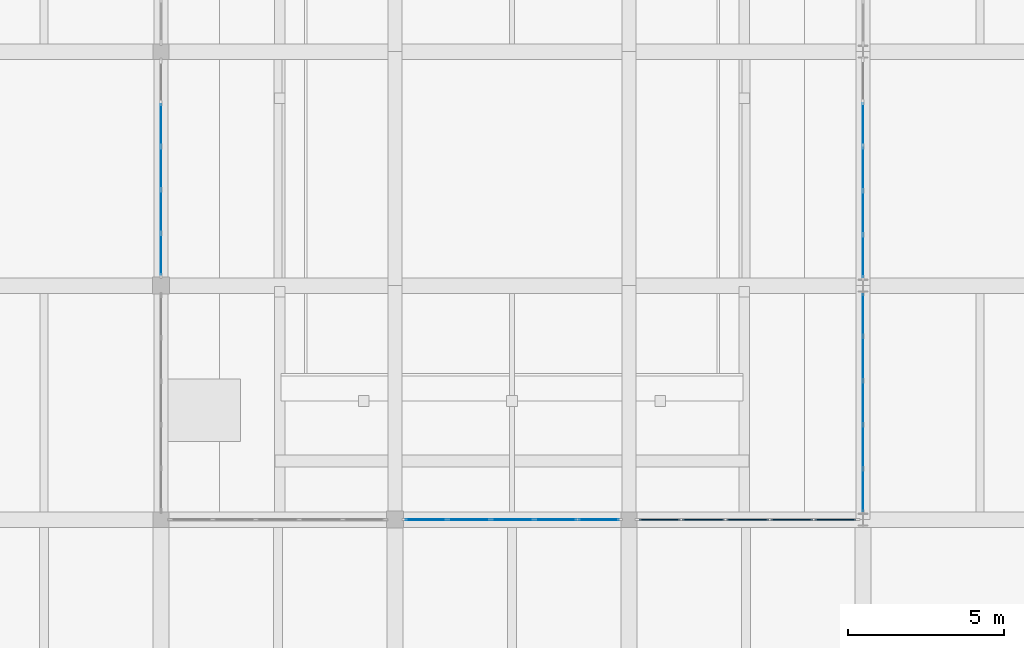
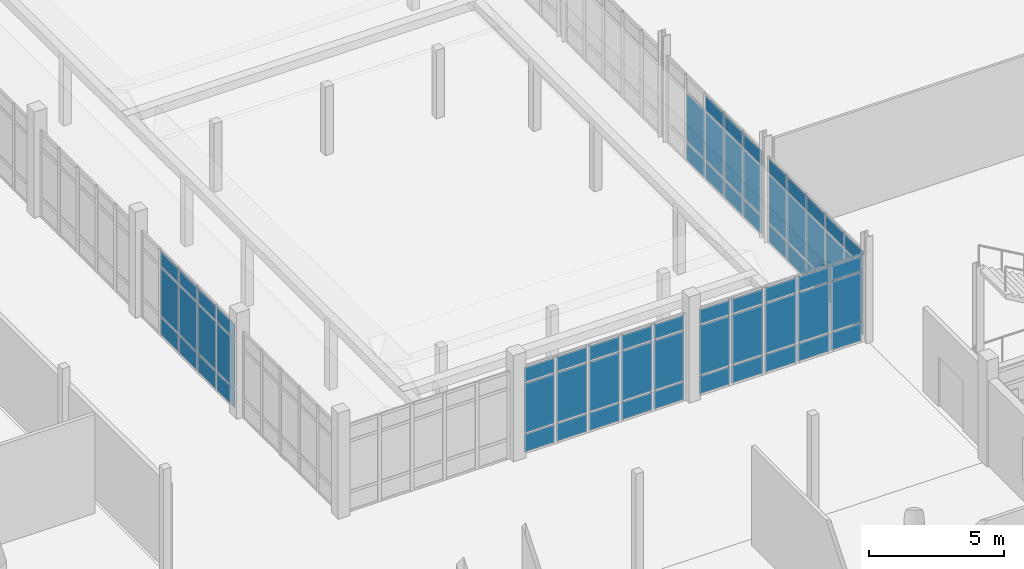
# One storey, part 72 of 125: 68 plates, 5 elements without a shape of their own.
"""IFC4 building model written with IfcOpenShell, lengths in metres."""

from ifc_helpers import new_model, si_unit, direction, frame, origin, origin_2d, place, context, subcontext, project, spatial, rectangle, extrude, material, layer, layer_set, type_object, element, aggregate, save


model = new_model("IFC4")

# Units and contexts
model_context = context("Model", 3, precision=1e-05, world=origin(), true_north=direction((0.0, 1.0)))
body_context = subcontext(model_context, "Body", "Model", "MODEL_VIEW")
ifc_project = project(units=[si_unit("LENGTHUNIT", "METRE"), si_unit("AREAUNIT", "SQUARE_METRE"), si_unit("VOLUMEUNIT", "CUBIC_METRE"), si_unit("PLANEANGLEUNIT", "RADIAN"), si_unit("MASSUNIT", "GRAM", prefix="KILO")], contexts=[model_context])

# Site, building, storey
site_placement = place(None, origin())
site = spatial("IfcSite", under=ifc_project, at=site_placement, CompositionType="ELEMENT")
building_placement = place(site_placement, origin())
building = spatial("IfcBuilding", under=site, at=building_placement, Name="Dalvernix Boulevard General Hospital", CompositionType="ELEMENT")
storey_placement = place(building_placement, origin())
storey = spatial("IfcBuildingStorey", under=building, at=storey_placement, Name="L00", CompositionType="ELEMENT", Elevation=0.0)

# Curtain wall, plates
ifc_material_1 = material(Name="Thermally broken aluminium and solar-control glass curtain wall", Category="aluminium")
ifc_layer_1 = layer(ifc_material_1, 0.159912109375)
ifc_layer_set_1 = layer_set([ifc_layer_1], Name="Thermally broken aluminium and solar-control glass curtain wall (CW-CW-A-71x39)")
curtain_wall_type_1 = type_object("IfcCurtainWallType", Name="CW-CW-A-71x39", PredefinedType="USERDEFINED", material=ifc_layer_set_1)
curtain_wall_1_placement = place(storey_placement, origin())
curtain_wall_1 = element("IfcCurtainWall", 1, at=curtain_wall_1_placement, inside=storey, type_object=curtain_wall_type_1, Name="L00 curtain wall CW-A-71x39 8-4", ObjectType="GLAZED FACADE", PredefinedType="USERDEFINED")
ifc_material_2 = material(Name="Double-glazed solar-control low-emissivity glass", Category="glass")
ifc_layer_2 = layer(ifc_material_2, 0.02392578125)
ifc_layer_set_2 = layer_set([ifc_layer_2], Name="Double-glazed solar-control low-emissivity glass (PLT-CW-P1)")
plate_type_1 = type_object("IfcPlateType", Name="PLT-CW-P1", PredefinedType="CURTAIN_PANEL", material=ifc_layer_set_2)
plate_1_placement = place(storey_placement, frame((60.0, 32.43310546875, 0.06005859375), z_axis=(0.0, 0.0, 1.0), x_axis=(0.0, 1.0, 0.0)))
plate_1 = element("IfcPlate", 2, at=plate_1_placement, type_object=plate_type_1, Name="CW-A-71x39 panel 1.1", PredefinedType="CURTAIN_PANEL", context=body_context, shape_type="SweptSolid", body=[
    extrude(rectangle(XDim=1.325927734375, YDim=0.02392578125, at=origin_2d()), origin(), (0.0, 0.0, 1.0), 0.81005859375),
])
plate_2_placement = place(storey_placement, frame((60.0, 32.43310546875, 0.929931640625), z_axis=(0.0, 0.0, 1.0), x_axis=(0.0, 1.0, 0.0)))
plate_2 = element("IfcPlate", 3, at=plate_2_placement, type_object=plate_type_1, Name="CW-A-71x39 panel 1.2", PredefinedType="CURTAIN_PANEL", context=body_context, shape_type="SweptSolid", body=[
    extrude(rectangle(XDim=1.325927734375, YDim=0.02392578125, at=origin_2d()), origin(), (0.0, 0.0, 1.0), 2.18994140625),
])
plate_3_placement = place(storey_placement, frame((60.0, 32.43310546875, 3.18017578125), z_axis=(0.0, 0.0, 1.0), x_axis=(0.0, 1.0, 0.0)))
plate_3 = element("IfcPlate", 4, at=plate_3_placement, type_object=plate_type_1, Name="CW-A-71x39 panel 1.3", PredefinedType="CURTAIN_PANEL", context=body_context, shape_type="SweptSolid", body=[
    extrude(rectangle(XDim=1.325927734375, YDim=0.02392578125, at=origin_2d()), origin(), (0.0, 0.0, 1.0), 0.659912109375),
])
plate_4_placement = place(storey_placement, frame((60.0, 33.833984375, 0.06005859375), z_axis=(0.0, 0.0, 1.0), x_axis=(0.0, 1.0, 0.0)))
plate_4 = element("IfcPlate", 5, at=plate_4_placement, type_object=plate_type_1, Name="CW-A-71x39 panel 2.1", PredefinedType="CURTAIN_PANEL", context=body_context, shape_type="SweptSolid", body=[
    extrude(rectangle(XDim=1.35595703125, YDim=0.02392578125, at=origin_2d()), origin(), (0.0, 0.0, 1.0), 0.81005859375),
])
plate_5_placement = place(storey_placement, frame((60.0, 33.833984375, 0.929931640625), z_axis=(0.0, 0.0, 1.0), x_axis=(0.0, 1.0, 0.0)))
plate_5 = element("IfcPlate", 6, at=plate_5_placement, type_object=plate_type_1, Name="CW-A-71x39 panel 2.2", PredefinedType="CURTAIN_PANEL", context=body_context, shape_type="SweptSolid", body=[
    extrude(rectangle(XDim=1.35595703125, YDim=0.02392578125, at=origin_2d()), origin(), (0.0, 0.0, 1.0), 2.18994140625),
])
plate_6_placement = place(storey_placement, frame((60.0, 33.833984375, 3.18017578125), z_axis=(0.0, 0.0, 1.0), x_axis=(0.0, 1.0, 0.0)))
plate_6 = element("IfcPlate", 7, at=plate_6_placement, type_object=plate_type_1, Name="CW-A-71x39 panel 2.3", PredefinedType="CURTAIN_PANEL", context=body_context, shape_type="SweptSolid", body=[
    extrude(rectangle(XDim=1.35595703125, YDim=0.02392578125, at=origin_2d()), origin(), (0.0, 0.0, 1.0), 0.659912109375),
])
plate_7_placement = place(storey_placement, frame((60.0, 35.25, 0.06005859375), z_axis=(0.0, 0.0, 1.0), x_axis=(0.0, 1.0, 0.0)))
plate_7 = element("IfcPlate", 8, at=plate_7_placement, type_object=plate_type_1, Name="CW-A-71x39 panel 3.1", PredefinedType="CURTAIN_PANEL", context=body_context, shape_type="SweptSolid", body=[
    extrude(rectangle(XDim=1.35595703125, YDim=0.02392578125, at=origin_2d()), origin(), (0.0, 0.0, 1.0), 0.81005859375),
])
plate_8_placement = place(storey_placement, frame((60.0, 35.25, 0.929931640625), z_axis=(0.0, 0.0, 1.0), x_axis=(0.0, 1.0, 0.0)))
plate_8 = element("IfcPlate", 9, at=plate_8_placement, type_object=plate_type_1, Name="CW-A-71x39 panel 3.2", PredefinedType="CURTAIN_PANEL", context=body_context, shape_type="SweptSolid", body=[
    extrude(rectangle(XDim=1.35595703125, YDim=0.02392578125, at=origin_2d()), origin(), (0.0, 0.0, 1.0), 2.18994140625),
])
plate_9_placement = place(storey_placement, frame((60.0, 35.25, 3.18017578125), z_axis=(0.0, 0.0, 1.0), x_axis=(0.0, 1.0, 0.0)))
plate_9 = element("IfcPlate", 10, at=plate_9_placement, type_object=plate_type_1, Name="CW-A-71x39 panel 3.3", PredefinedType="CURTAIN_PANEL", context=body_context, shape_type="SweptSolid", body=[
    extrude(rectangle(XDim=1.35595703125, YDim=0.02392578125, at=origin_2d()), origin(), (0.0, 0.0, 1.0), 0.659912109375),
])
plate_10_placement = place(storey_placement, frame((60.0, 36.666015625, 0.06005859375), z_axis=(0.0, 0.0, 1.0), x_axis=(0.0, 1.0, 0.0)))
plate_10 = element("IfcPlate", 11, at=plate_10_placement, type_object=plate_type_1, Name="CW-A-71x39 panel 4.1", PredefinedType="CURTAIN_PANEL", context=body_context, shape_type="SweptSolid", body=[
    extrude(rectangle(XDim=1.35595703125, YDim=0.02392578125, at=origin_2d()), origin(), (0.0, 0.0, 1.0), 0.81005859375),
])
plate_11_placement = place(storey_placement, frame((60.0, 36.666015625, 0.929931640625), z_axis=(0.0, 0.0, 1.0), x_axis=(0.0, 1.0, 0.0)))
plate_11 = element("IfcPlate", 12, at=plate_11_placement, type_object=plate_type_1, Name="CW-A-71x39 panel 4.2", PredefinedType="CURTAIN_PANEL", context=body_context, shape_type="SweptSolid", body=[
    extrude(rectangle(XDim=1.35595703125, YDim=0.02392578125, at=origin_2d()), origin(), (0.0, 0.0, 1.0), 2.18994140625),
])
plate_12_placement = place(storey_placement, frame((60.0, 36.666015625, 3.18017578125), z_axis=(0.0, 0.0, 1.0), x_axis=(0.0, 1.0, 0.0)))
plate_12 = element("IfcPlate", 13, at=plate_12_placement, type_object=plate_type_1, Name="CW-A-71x39 panel 4.3", PredefinedType="CURTAIN_PANEL", context=body_context, shape_type="SweptSolid", body=[
    extrude(rectangle(XDim=1.35595703125, YDim=0.02392578125, at=origin_2d()), origin(), (0.0, 0.0, 1.0), 0.659912109375),
])
plate_13_placement = place(storey_placement, frame((60.0, 38.06689453125, 0.06005859375), z_axis=(0.0, 0.0, 1.0), x_axis=(0.0, 1.0, 0.0)))
plate_13 = element("IfcPlate", 14, at=plate_13_placement, type_object=plate_type_1, Name="CW-A-71x39 panel 5.1", PredefinedType="CURTAIN_PANEL", context=body_context, shape_type="SweptSolid", body=[
    extrude(rectangle(XDim=1.325927734375, YDim=0.02392578125, at=origin_2d()), origin(), (0.0, 0.0, 1.0), 0.81005859375),
])
plate_14_placement = place(storey_placement, frame((60.0, 38.06689453125, 0.929931640625), z_axis=(0.0, 0.0, 1.0), x_axis=(0.0, 1.0, 0.0)))
plate_14 = element("IfcPlate", 15, at=plate_14_placement, type_object=plate_type_1, Name="CW-A-71x39 panel 5.2", PredefinedType="CURTAIN_PANEL", context=body_context, shape_type="SweptSolid", body=[
    extrude(rectangle(XDim=1.325927734375, YDim=0.02392578125, at=origin_2d()), origin(), (0.0, 0.0, 1.0), 2.18994140625),
])
plate_15_placement = place(storey_placement, frame((60.0, 38.06689453125, 3.18017578125), z_axis=(0.0, 0.0, 1.0), x_axis=(0.0, 1.0, 0.0)))
plate_15 = element("IfcPlate", 16, at=plate_15_placement, type_object=plate_type_1, Name="CW-A-71x39 panel 5.3", PredefinedType="CURTAIN_PANEL", context=body_context, shape_type="SweptSolid", body=[
    extrude(rectangle(XDim=1.325927734375, YDim=0.02392578125, at=origin_2d()), origin(), (0.0, 0.0, 1.0), 0.659912109375),
])
aggregate(curtain_wall_1, [plate_1, plate_2, plate_3, plate_4, plate_5, plate_6, plate_7, plate_8, plate_9, plate_10, plate_11, plate_12, plate_13, plate_14, plate_15])

ifc_layer_3 = layer(ifc_material_1, 0.179931640625)
ifc_layer_set_3 = layer_set([ifc_layer_3], Name="Thermally broken aluminium and solar-control glass curtain wall (CW-CW-B-70x39)")
curtain_wall_type_2 = type_object("IfcCurtainWallType", Name="CW-CW-B-70x39", PredefinedType="USERDEFINED", material=ifc_layer_set_3)
curtain_wall_2_placement = place(storey_placement, origin())
curtain_wall_2 = element("IfcCurtainWall", 17, at=curtain_wall_2_placement, inside=storey, type_object=curtain_wall_type_2, Name="L00 curtain wall CW-B-70x39 5-5", ObjectType="GLAZED FACADE", PredefinedType="USERDEFINED")
ifc_layer_4 = layer(ifc_material_2, 0.028076171875)
ifc_layer_set_4 = layer_set([ifc_layer_4], Name="Double-glazed solar-control low-emissivity glass (PLT-CW-P2)")
plate_type_2 = type_object("IfcPlateType", Name="PLT-CW-P2", PredefinedType="CURTAIN_PANEL", material=ifc_layer_set_4)
plate_16_placement = place(storey_placement, frame((37.5, 44.153564453125, 0.06494140625), z_axis=(0.0, 0.0, 1.0), x_axis=(0.0, -1.0, 0.0)))
plate_16 = element("IfcPlate", 18, at=plate_16_placement, type_object=plate_type_2, Name="CW-B-70x39 panel 2.1", PredefinedType="CURTAIN_PANEL", context=body_context, shape_type="SweptSolid", body=[
    extrude(rectangle(XDim=1.325927734375, YDim=0.028076171875, at=origin_2d()), origin(), (0.0, 0.0, 1.0), 0.802490234375),
])
plate_17_placement = place(storey_placement, frame((37.5, 44.153564453125, 0.932373046875), z_axis=(0.0, 0.0, 1.0), x_axis=(0.0, -1.0, 0.0)))
plate_17 = element("IfcPlate", 19, at=plate_17_placement, type_object=plate_type_2, Name="CW-B-70x39 panel 2.2", PredefinedType="CURTAIN_PANEL", context=body_context, shape_type="SweptSolid", body=[
    extrude(rectangle(XDim=1.325927734375, YDim=0.028076171875, at=origin_2d()), origin(), (0.0, 0.0, 1.0), 2.18505859375),
])
plate_18_placement = place(storey_placement, frame((37.5, 44.153564453125, 3.1826171875), z_axis=(0.0, 0.0, 1.0), x_axis=(0.0, -1.0, 0.0)))
plate_18 = element("IfcPlate", 20, at=plate_18_placement, type_object=plate_type_2, Name="CW-B-70x39 panel 2.3", PredefinedType="CURTAIN_PANEL", context=body_context, shape_type="SweptSolid", body=[
    extrude(rectangle(XDim=1.325927734375, YDim=0.028076171875, at=origin_2d()), origin(), (0.0, 0.0, 1.0), 0.652587890625),
])
plate_19_placement = place(storey_placement, frame((37.5, 42.762451171875, 0.06494140625), z_axis=(0.0, 0.0, 1.0), x_axis=(0.0, -1.0, 0.0)))
plate_19 = element("IfcPlate", 21, at=plate_19_placement, type_object=plate_type_2, Name="CW-B-70x39 panel 3.1", PredefinedType="CURTAIN_PANEL", context=body_context, shape_type="SweptSolid", body=[
    extrude(rectangle(XDim=1.325927734375, YDim=0.028076171875, at=origin_2d()), origin(), (0.0, 0.0, 1.0), 0.802490234375),
])
plate_20_placement = place(storey_placement, frame((37.5, 42.762451171875, 0.932373046875), z_axis=(0.0, 0.0, 1.0), x_axis=(0.0, -1.0, 0.0)))
plate_20 = element("IfcPlate", 22, at=plate_20_placement, type_object=plate_type_2, Name="CW-B-70x39 panel 3.2", PredefinedType="CURTAIN_PANEL", context=body_context, shape_type="SweptSolid", body=[
    extrude(rectangle(XDim=1.325927734375, YDim=0.028076171875, at=origin_2d()), origin(), (0.0, 0.0, 1.0), 2.18505859375),
])
plate_21_placement = place(storey_placement, frame((37.5, 42.762451171875, 3.1826171875), z_axis=(0.0, 0.0, 1.0), x_axis=(0.0, -1.0, 0.0)))
plate_21 = element("IfcPlate", 23, at=plate_21_placement, type_object=plate_type_2, Name="CW-B-70x39 panel 3.3", PredefinedType="CURTAIN_PANEL", context=body_context, shape_type="SweptSolid", body=[
    extrude(rectangle(XDim=1.325927734375, YDim=0.028076171875, at=origin_2d()), origin(), (0.0, 0.0, 1.0), 0.652587890625),
])
plate_22_placement = place(storey_placement, frame((37.5, 41.37158203125, 0.06494140625), z_axis=(0.0, 0.0, 1.0), x_axis=(0.0, -1.0, 0.0)))
plate_22 = element("IfcPlate", 24, at=plate_22_placement, type_object=plate_type_2, Name="CW-B-70x39 panel 4.1", PredefinedType="CURTAIN_PANEL", context=body_context, shape_type="SweptSolid", body=[
    extrude(rectangle(XDim=1.325927734375, YDim=0.028076171875, at=origin_2d()), origin(), (0.0, 0.0, 1.0), 0.802490234375),
])
plate_23_placement = place(storey_placement, frame((37.5, 41.37158203125, 0.932373046875), z_axis=(0.0, 0.0, 1.0), x_axis=(0.0, -1.0, 0.0)))
plate_23 = element("IfcPlate", 25, at=plate_23_placement, type_object=plate_type_2, Name="CW-B-70x39 panel 4.2", PredefinedType="CURTAIN_PANEL", context=body_context, shape_type="SweptSolid", body=[
    extrude(rectangle(XDim=1.325927734375, YDim=0.028076171875, at=origin_2d()), origin(), (0.0, 0.0, 1.0), 2.18505859375),
])
plate_24_placement = place(storey_placement, frame((37.5, 41.37158203125, 3.1826171875), z_axis=(0.0, 0.0, 1.0), x_axis=(0.0, -1.0, 0.0)))
plate_24 = element("IfcPlate", 26, at=plate_24_placement, type_object=plate_type_2, Name="CW-B-70x39 panel 4.3", PredefinedType="CURTAIN_PANEL", context=body_context, shape_type="SweptSolid", body=[
    extrude(rectangle(XDim=1.325927734375, YDim=0.028076171875, at=origin_2d()), origin(), (0.0, 0.0, 1.0), 0.652587890625),
])
plate_25_placement = place(storey_placement, frame((37.5, 39.996826171875, 0.06494140625), z_axis=(0.0, 0.0, 1.0), x_axis=(0.0, -1.0, 0.0)))
plate_25 = element("IfcPlate", 27, at=plate_25_placement, type_object=plate_type_2, Name="CW-B-70x39 panel 5.1", PredefinedType="CURTAIN_PANEL", context=body_context, shape_type="SweptSolid", body=[
    extrude(rectangle(XDim=1.29345703125, YDim=0.028076171875, at=origin_2d()), origin(), (0.0, 0.0, 1.0), 0.802490234375),
])
plate_26_placement = place(storey_placement, frame((37.5, 39.996826171875, 0.932373046875), z_axis=(0.0, 0.0, 1.0), x_axis=(0.0, -1.0, 0.0)))
plate_26 = element("IfcPlate", 28, at=plate_26_placement, type_object=plate_type_2, Name="CW-B-70x39 panel 5.2", PredefinedType="CURTAIN_PANEL", context=body_context, shape_type="SweptSolid", body=[
    extrude(rectangle(XDim=1.29345703125, YDim=0.028076171875, at=origin_2d()), origin(), (0.0, 0.0, 1.0), 2.18505859375),
])
plate_27_placement = place(storey_placement, frame((37.5, 39.996826171875, 3.1826171875), z_axis=(0.0, 0.0, 1.0), x_axis=(0.0, -1.0, 0.0)))
plate_27 = element("IfcPlate", 29, at=plate_27_placement, type_object=plate_type_2, Name="CW-B-70x39 panel 5.3", PredefinedType="CURTAIN_PANEL", context=body_context, shape_type="SweptSolid", body=[
    extrude(rectangle(XDim=1.29345703125, YDim=0.028076171875, at=origin_2d()), origin(), (0.0, 0.0, 1.0), 0.652587890625),
])
aggregate(curtain_wall_2, [plate_16, plate_17, plate_18, plate_19, plate_20, plate_21, plate_22, plate_23, plate_24, plate_25, plate_26, plate_27])

ifc_layer_5 = layer(ifc_material_1, 0.179931640625)
ifc_layer_set_5 = layer_set([ifc_layer_5], Name="Thermally broken aluminium and solar-control glass curtain wall (CW-CW-B-70x40)")
curtain_wall_type_3 = type_object("IfcCurtainWallType", Name="CW-CW-B-70x40", PredefinedType="USERDEFINED", material=ifc_layer_set_5)
curtain_wall_3_placement = place(storey_placement, origin())
curtain_wall_3 = element("IfcCurtainWall", 30, at=curtain_wall_3_placement, inside=storey, type_object=curtain_wall_type_3, Name="L00 curtain wall CW-B-70x40 6-4", ObjectType="GLAZED FACADE", PredefinedType="USERDEFINED")
plate_28_placement = place(storey_placement, frame((45.996826171875, 31.5, 0.06494140625), z_axis=(0.0, 0.0, 1.0), x_axis=(1.0, 0.0, 0.0)))
plate_28 = element("IfcPlate", 31, at=plate_28_placement, type_object=plate_type_2, Name="CW-B-70x40 panel 1.1", PredefinedType="CURTAIN_PANEL", context=body_context, shape_type="SweptSolid", body=[
    extrude(rectangle(XDim=1.29345703125, YDim=0.028076171875, at=origin_2d()), origin(), (0.0, 0.0, 1.0), 0.802490234375),
])
plate_29_placement = place(storey_placement, frame((45.996826171875, 31.5, 0.9326171875), z_axis=(0.0, 0.0, 1.0), x_axis=(1.0, 0.0, 0.0)))
plate_29 = element("IfcPlate", 32, at=plate_29_placement, type_object=plate_type_2, Name="CW-B-70x40 panel 1.2", PredefinedType="CURTAIN_PANEL", context=body_context, shape_type="SweptSolid", body=[
    extrude(rectangle(XDim=1.29345703125, YDim=0.028076171875, at=origin_2d()), origin(), (0.0, 0.0, 1.0), 2.235107421875),
])
plate_30_placement = place(storey_placement, frame((45.996826171875, 31.5, 3.232421875), z_axis=(0.0, 0.0, 1.0), x_axis=(1.0, 0.0, 0.0)))
plate_30 = element("IfcPlate", 33, at=plate_30_placement, type_object=plate_type_2, Name="CW-B-70x40 panel 1.3", PredefinedType="CURTAIN_PANEL", context=body_context, shape_type="SweptSolid", body=[
    extrude(rectangle(XDim=1.29345703125, YDim=0.028076171875, at=origin_2d()), origin(), (0.0, 0.0, 1.0), 0.652587890625),
])
plate_31_placement = place(storey_placement, frame((47.37158203125, 31.5, 0.06494140625), z_axis=(0.0, 0.0, 1.0), x_axis=(1.0, 0.0, 0.0)))
plate_31 = element("IfcPlate", 34, at=plate_31_placement, type_object=plate_type_2, Name="CW-B-70x40 panel 2.1", PredefinedType="CURTAIN_PANEL", context=body_context, shape_type="SweptSolid", body=[
    extrude(rectangle(XDim=1.325927734375, YDim=0.028076171875, at=origin_2d()), origin(), (0.0, 0.0, 1.0), 0.802490234375),
])
plate_32_placement = place(storey_placement, frame((47.37158203125, 31.5, 0.9326171875), z_axis=(0.0, 0.0, 1.0), x_axis=(1.0, 0.0, 0.0)))
plate_32 = element("IfcPlate", 35, at=plate_32_placement, type_object=plate_type_2, Name="CW-B-70x40 panel 2.2", PredefinedType="CURTAIN_PANEL", context=body_context, shape_type="SweptSolid", body=[
    extrude(rectangle(XDim=1.325927734375, YDim=0.028076171875, at=origin_2d()), origin(), (0.0, 0.0, 1.0), 2.235107421875),
])
plate_33_placement = place(storey_placement, frame((47.37158203125, 31.5, 3.232421875), z_axis=(0.0, 0.0, 1.0), x_axis=(1.0, 0.0, 0.0)))
plate_33 = element("IfcPlate", 36, at=plate_33_placement, type_object=plate_type_2, Name="CW-B-70x40 panel 2.3", PredefinedType="CURTAIN_PANEL", context=body_context, shape_type="SweptSolid", body=[
    extrude(rectangle(XDim=1.325927734375, YDim=0.028076171875, at=origin_2d()), origin(), (0.0, 0.0, 1.0), 0.652587890625),
])
plate_34_placement = place(storey_placement, frame((48.762451171875, 31.5, 0.06494140625), z_axis=(0.0, 0.0, 1.0), x_axis=(1.0, 0.0, 0.0)))
plate_34 = element("IfcPlate", 37, at=plate_34_placement, type_object=plate_type_2, Name="CW-B-70x40 panel 3.1", PredefinedType="CURTAIN_PANEL", context=body_context, shape_type="SweptSolid", body=[
    extrude(rectangle(XDim=1.325927734375, YDim=0.028076171875, at=origin_2d()), origin(), (0.0, 0.0, 1.0), 0.802490234375),
])
plate_35_placement = place(storey_placement, frame((48.762451171875, 31.5, 0.9326171875), z_axis=(0.0, 0.0, 1.0), x_axis=(1.0, 0.0, 0.0)))
plate_35 = element("IfcPlate", 38, at=plate_35_placement, type_object=plate_type_2, Name="CW-B-70x40 panel 3.2", PredefinedType="CURTAIN_PANEL", context=body_context, shape_type="SweptSolid", body=[
    extrude(rectangle(XDim=1.325927734375, YDim=0.028076171875, at=origin_2d()), origin(), (0.0, 0.0, 1.0), 2.235107421875),
])
plate_36_placement = place(storey_placement, frame((48.762451171875, 31.5, 3.232421875), z_axis=(0.0, 0.0, 1.0), x_axis=(1.0, 0.0, 0.0)))
plate_36 = element("IfcPlate", 39, at=plate_36_placement, type_object=plate_type_2, Name="CW-B-70x40 panel 3.3", PredefinedType="CURTAIN_PANEL", context=body_context, shape_type="SweptSolid", body=[
    extrude(rectangle(XDim=1.325927734375, YDim=0.028076171875, at=origin_2d()), origin(), (0.0, 0.0, 1.0), 0.652587890625),
])
plate_37_placement = place(storey_placement, frame((50.153564453125, 31.5, 0.06494140625), z_axis=(0.0, 0.0, 1.0), x_axis=(1.0, 0.0, 0.0)))
plate_37 = element("IfcPlate", 40, at=plate_37_placement, type_object=plate_type_2, Name="CW-B-70x40 panel 4.1", PredefinedType="CURTAIN_PANEL", context=body_context, shape_type="SweptSolid", body=[
    extrude(rectangle(XDim=1.325927734375, YDim=0.028076171875, at=origin_2d()), origin(), (0.0, 0.0, 1.0), 0.802490234375),
])
plate_38_placement = place(storey_placement, frame((50.153564453125, 31.5, 0.9326171875), z_axis=(0.0, 0.0, 1.0), x_axis=(1.0, 0.0, 0.0)))
plate_38 = element("IfcPlate", 41, at=plate_38_placement, type_object=plate_type_2, Name="CW-B-70x40 panel 4.2", PredefinedType="CURTAIN_PANEL", context=body_context, shape_type="SweptSolid", body=[
    extrude(rectangle(XDim=1.325927734375, YDim=0.028076171875, at=origin_2d()), origin(), (0.0, 0.0, 1.0), 2.235107421875),
])
plate_39_placement = place(storey_placement, frame((50.153564453125, 31.5, 3.232421875), z_axis=(0.0, 0.0, 1.0), x_axis=(1.0, 0.0, 0.0)))
plate_39 = element("IfcPlate", 42, at=plate_39_placement, type_object=plate_type_2, Name="CW-B-70x40 panel 4.3", PredefinedType="CURTAIN_PANEL", context=body_context, shape_type="SweptSolid", body=[
    extrude(rectangle(XDim=1.325927734375, YDim=0.028076171875, at=origin_2d()), origin(), (0.0, 0.0, 1.0), 0.652587890625),
])
plate_40_placement = place(storey_placement, frame((51.5283203125, 31.5, 0.06494140625), z_axis=(0.0, 0.0, 1.0), x_axis=(1.0, 0.0, 0.0)))
plate_40 = element("IfcPlate", 43, at=plate_40_placement, type_object=plate_type_2, Name="CW-B-70x40 panel 5.1", PredefinedType="CURTAIN_PANEL", context=body_context, shape_type="SweptSolid", body=[
    extrude(rectangle(XDim=1.29345703125, YDim=0.028076171875, at=origin_2d()), origin(), (0.0, 0.0, 1.0), 0.802490234375),
])
plate_41_placement = place(storey_placement, frame((51.5283203125, 31.5, 0.9326171875), z_axis=(0.0, 0.0, 1.0), x_axis=(1.0, 0.0, 0.0)))
plate_41 = element("IfcPlate", 44, at=plate_41_placement, type_object=plate_type_2, Name="CW-B-70x40 panel 5.2", PredefinedType="CURTAIN_PANEL", context=body_context, shape_type="SweptSolid", body=[
    extrude(rectangle(XDim=1.29345703125, YDim=0.028076171875, at=origin_2d()), origin(), (0.0, 0.0, 1.0), 2.235107421875),
])
plate_42_placement = place(storey_placement, frame((51.5283203125, 31.5, 3.232421875), z_axis=(0.0, 0.0, 1.0), x_axis=(1.0, 0.0, 0.0)))
plate_42 = element("IfcPlate", 45, at=plate_42_placement, type_object=plate_type_2, Name="CW-B-70x40 panel 5.3", PredefinedType="CURTAIN_PANEL", context=body_context, shape_type="SweptSolid", body=[
    extrude(rectangle(XDim=1.29345703125, YDim=0.028076171875, at=origin_2d()), origin(), (0.0, 0.0, 1.0), 0.652587890625),
])
aggregate(curtain_wall_3, [plate_28, plate_29, plate_30, plate_31, plate_32, plate_33, plate_34, plate_35, plate_36, plate_37, plate_38, plate_39, plate_40, plate_41, plate_42])

ifc_layer_6 = layer(ifc_material_1, 0.179931640625)
ifc_layer_set_6 = layer_set([ifc_layer_6], Name="Thermally broken aluminium and solar-control glass curtain wall (CW-CW-B-71x39)")
curtain_wall_type_4 = type_object("IfcCurtainWallType", Name="CW-CW-B-71x39", PredefinedType="USERDEFINED", material=ifc_layer_set_6)
curtain_wall_4_placement = place(storey_placement, origin())
curtain_wall_4 = element("IfcCurtainWall", 46, at=curtain_wall_4_placement, inside=storey, type_object=curtain_wall_type_4, Name="L00 curtain wall CW-B-71x39 8-5", ObjectType="GLAZED FACADE", PredefinedType="USERDEFINED")
plate_43_placement = place(storey_placement, frame((60.0, 39.934326171875, 0.06494140625), z_axis=(0.0, 0.0, 1.0), x_axis=(0.0, 1.0, 0.0)))
plate_43 = element("IfcPlate", 47, at=plate_43_placement, type_object=plate_type_2, Name="CW-B-71x39 panel 1.1", PredefinedType="CURTAIN_PANEL", context=body_context, shape_type="SweptSolid", body=[
    extrude(rectangle(XDim=1.318603515625, YDim=0.028076171875, at=origin_2d()), origin(), (0.0, 0.0, 1.0), 0.802490234375),
])
plate_44_placement = place(storey_placement, frame((60.0, 39.934326171875, 0.932373046875), z_axis=(0.0, 0.0, 1.0), x_axis=(0.0, 1.0, 0.0)))
plate_44 = element("IfcPlate", 48, at=plate_44_placement, type_object=plate_type_2, Name="CW-B-71x39 panel 1.2", PredefinedType="CURTAIN_PANEL", context=body_context, shape_type="SweptSolid", body=[
    extrude(rectangle(XDim=1.318603515625, YDim=0.028076171875, at=origin_2d()), origin(), (0.0, 0.0, 1.0), 2.18505859375),
])
plate_45_placement = place(storey_placement, frame((60.0, 39.934326171875, 3.1826171875), z_axis=(0.0, 0.0, 1.0), x_axis=(0.0, 1.0, 0.0)))
plate_45 = element("IfcPlate", 49, at=plate_45_placement, type_object=plate_type_2, Name="CW-B-71x39 panel 1.3", PredefinedType="CURTAIN_PANEL", context=body_context, shape_type="SweptSolid", body=[
    extrude(rectangle(XDim=1.318603515625, YDim=0.028076171875, at=origin_2d()), origin(), (0.0, 0.0, 1.0), 0.652587890625),
])
plate_46_placement = place(storey_placement, frame((60.0, 41.333984375, 0.06494140625), z_axis=(0.0, 0.0, 1.0), x_axis=(0.0, 1.0, 0.0)))
plate_46 = element("IfcPlate", 50, at=plate_46_placement, type_object=plate_type_2, Name="CW-B-71x39 panel 2.1", PredefinedType="CURTAIN_PANEL", context=body_context, shape_type="SweptSolid", body=[
    extrude(rectangle(XDim=1.35107421875, YDim=0.028076171875, at=origin_2d()), origin(), (0.0, 0.0, 1.0), 0.802490234375),
])
plate_47_placement = place(storey_placement, frame((60.0, 41.333984375, 0.932373046875), z_axis=(0.0, 0.0, 1.0), x_axis=(0.0, 1.0, 0.0)))
plate_47 = element("IfcPlate", 51, at=plate_47_placement, type_object=plate_type_2, Name="CW-B-71x39 panel 2.2", PredefinedType="CURTAIN_PANEL", context=body_context, shape_type="SweptSolid", body=[
    extrude(rectangle(XDim=1.35107421875, YDim=0.028076171875, at=origin_2d()), origin(), (0.0, 0.0, 1.0), 2.18505859375),
])
plate_48_placement = place(storey_placement, frame((60.0, 41.333984375, 3.1826171875), z_axis=(0.0, 0.0, 1.0), x_axis=(0.0, 1.0, 0.0)))
plate_48 = element("IfcPlate", 52, at=plate_48_placement, type_object=plate_type_2, Name="CW-B-71x39 panel 2.3", PredefinedType="CURTAIN_PANEL", context=body_context, shape_type="SweptSolid", body=[
    extrude(rectangle(XDim=1.35107421875, YDim=0.028076171875, at=origin_2d()), origin(), (0.0, 0.0, 1.0), 0.652587890625),
])
plate_49_placement = place(storey_placement, frame((60.0, 42.75, 0.06494140625), z_axis=(0.0, 0.0, 1.0), x_axis=(0.0, 1.0, 0.0)))
plate_49 = element("IfcPlate", 53, at=plate_49_placement, type_object=plate_type_2, Name="CW-B-71x39 panel 3.1", PredefinedType="CURTAIN_PANEL", context=body_context, shape_type="SweptSolid", body=[
    extrude(rectangle(XDim=1.35107421875, YDim=0.028076171875, at=origin_2d()), origin(), (0.0, 0.0, 1.0), 0.802490234375),
])
plate_50_placement = place(storey_placement, frame((60.0, 42.75, 0.932373046875), z_axis=(0.0, 0.0, 1.0), x_axis=(0.0, 1.0, 0.0)))
plate_50 = element("IfcPlate", 54, at=plate_50_placement, type_object=plate_type_2, Name="CW-B-71x39 panel 3.2", PredefinedType="CURTAIN_PANEL", context=body_context, shape_type="SweptSolid", body=[
    extrude(rectangle(XDim=1.35107421875, YDim=0.028076171875, at=origin_2d()), origin(), (0.0, 0.0, 1.0), 2.18505859375),
])
plate_51_placement = place(storey_placement, frame((60.0, 42.75, 3.1826171875), z_axis=(0.0, 0.0, 1.0), x_axis=(0.0, 1.0, 0.0)))
plate_51 = element("IfcPlate", 55, at=plate_51_placement, type_object=plate_type_2, Name="CW-B-71x39 panel 3.3", PredefinedType="CURTAIN_PANEL", context=body_context, shape_type="SweptSolid", body=[
    extrude(rectangle(XDim=1.35107421875, YDim=0.028076171875, at=origin_2d()), origin(), (0.0, 0.0, 1.0), 0.652587890625),
])
plate_52_placement = place(storey_placement, frame((60.0, 44.166015625, 0.06494140625), z_axis=(0.0, 0.0, 1.0), x_axis=(0.0, 1.0, 0.0)))
plate_52 = element("IfcPlate", 56, at=plate_52_placement, type_object=plate_type_2, Name="CW-B-71x39 panel 4.1", PredefinedType="CURTAIN_PANEL", context=body_context, shape_type="SweptSolid", body=[
    extrude(rectangle(XDim=1.35107421875, YDim=0.028076171875, at=origin_2d()), origin(), (0.0, 0.0, 1.0), 0.802490234375),
])
plate_53_placement = place(storey_placement, frame((60.0, 44.166015625, 0.932373046875), z_axis=(0.0, 0.0, 1.0), x_axis=(0.0, 1.0, 0.0)))
plate_53 = element("IfcPlate", 57, at=plate_53_placement, type_object=plate_type_2, Name="CW-B-71x39 panel 4.2", PredefinedType="CURTAIN_PANEL", context=body_context, shape_type="SweptSolid", body=[
    extrude(rectangle(XDim=1.35107421875, YDim=0.028076171875, at=origin_2d()), origin(), (0.0, 0.0, 1.0), 2.18505859375),
])
aggregate(curtain_wall_4, [plate_43, plate_44, plate_45, plate_46, plate_47, plate_48, plate_49, plate_50, plate_51, plate_52, plate_53])

ifc_layer_7 = layer(ifc_material_1, 0.199951171875)
ifc_layer_set_7 = layer_set([ifc_layer_7], Name="Thermally broken aluminium and solar-control glass curtain wall (CW-CW-C-71x40)")
curtain_wall_type_5 = type_object("IfcCurtainWallType", Name="CW-CW-C-71x40", PredefinedType="USERDEFINED", material=ifc_layer_set_7)
curtain_wall_5_placement = place(storey_placement, origin())
curtain_wall_5 = element("IfcCurtainWall", 58, at=curtain_wall_5_placement, inside=storey, type_object=curtain_wall_type_5, Name="L00 curtain wall CW-C-71x40 7-4", ObjectType="GLAZED FACADE", PredefinedType="USERDEFINED")
ifc_layer_8 = layer(ifc_material_2, 0.035888671875)
ifc_layer_set_8 = layer_set([ifc_layer_8], Name="Double-glazed solar-control low-emissivity glass (PLT-CW-P3)")
plate_type_3 = type_object("IfcPlateType", Name="PLT-CW-P3", PredefinedType="CURTAIN_PANEL", material=ifc_layer_set_8)
plate_54_placement = place(storey_placement, frame((53.485595703125, 31.5, 0.070068359375), z_axis=(0.0, 0.0, 1.0), x_axis=(1.0, 0.0, 0.0)))
plate_54 = element("IfcPlate", 59, at=plate_54_placement, type_object=plate_type_3, Name="CW-C-71x40 panel 1.1", PredefinedType="CURTAIN_PANEL", context=body_context, shape_type="SweptSolid", body=[
    extrude(rectangle(XDim=1.31103515625, YDim=0.035888671875, at=origin_2d()), origin(), (0.0, 0.0, 1.0), 0.794921875),
])
plate_55_placement = place(storey_placement, frame((53.485595703125, 31.5, 0.93505859375), z_axis=(0.0, 0.0, 1.0), x_axis=(1.0, 0.0, 0.0)))
plate_55 = element("IfcPlate", 60, at=plate_55_placement, type_object=plate_type_3, Name="CW-C-71x40 panel 1.2", PredefinedType="CURTAIN_PANEL", context=body_context, shape_type="SweptSolid", body=[
    extrude(rectangle(XDim=1.31103515625, YDim=0.035888671875, at=origin_2d()), origin(), (0.0, 0.0, 1.0), 2.22998046875),
])
plate_56_placement = place(storey_placement, frame((53.485595703125, 31.5, 3.235107421875), z_axis=(0.0, 0.0, 1.0), x_axis=(1.0, 0.0, 0.0)))
plate_56 = element("IfcPlate", 61, at=plate_56_placement, type_object=plate_type_3, Name="CW-C-71x40 panel 1.3", PredefinedType="CURTAIN_PANEL", context=body_context, shape_type="SweptSolid", body=[
    extrude(rectangle(XDim=1.31103515625, YDim=0.035888671875, at=origin_2d()), origin(), (0.0, 0.0, 1.0), 0.64501953125),
])
plate_57_placement = place(storey_placement, frame((54.884033203125, 31.5, 0.070068359375), z_axis=(0.0, 0.0, 1.0), x_axis=(1.0, 0.0, 0.0)))
plate_57 = element("IfcPlate", 62, at=plate_57_placement, type_object=plate_type_3, Name="CW-C-71x40 panel 2.1", PredefinedType="CURTAIN_PANEL", context=body_context, shape_type="SweptSolid", body=[
    extrude(rectangle(XDim=1.345947265625, YDim=0.035888671875, at=origin_2d()), origin(), (0.0, 0.0, 1.0), 0.794921875),
])
plate_58_placement = place(storey_placement, frame((54.884033203125, 31.5, 0.93505859375), z_axis=(0.0, 0.0, 1.0), x_axis=(1.0, 0.0, 0.0)))
plate_58 = element("IfcPlate", 63, at=plate_58_placement, type_object=plate_type_3, Name="CW-C-71x40 panel 2.2", PredefinedType="CURTAIN_PANEL", context=body_context, shape_type="SweptSolid", body=[
    extrude(rectangle(XDim=1.345947265625, YDim=0.035888671875, at=origin_2d()), origin(), (0.0, 0.0, 1.0), 2.22998046875),
])
plate_59_placement = place(storey_placement, frame((54.884033203125, 31.5, 3.235107421875), z_axis=(0.0, 0.0, 1.0), x_axis=(1.0, 0.0, 0.0)))
plate_59 = element("IfcPlate", 64, at=plate_59_placement, type_object=plate_type_3, Name="CW-C-71x40 panel 2.3", PredefinedType="CURTAIN_PANEL", context=body_context, shape_type="SweptSolid", body=[
    extrude(rectangle(XDim=1.345947265625, YDim=0.035888671875, at=origin_2d()), origin(), (0.0, 0.0, 1.0), 0.64501953125),
])
plate_60_placement = place(storey_placement, frame((56.300048828125, 31.5, 0.070068359375), z_axis=(0.0, 0.0, 1.0), x_axis=(1.0, 0.0, 0.0)))
plate_60 = element("IfcPlate", 65, at=plate_60_placement, type_object=plate_type_3, Name="CW-C-71x40 panel 3.1", PredefinedType="CURTAIN_PANEL", context=body_context, shape_type="SweptSolid", body=[
    extrude(rectangle(XDim=1.345947265625, YDim=0.035888671875, at=origin_2d()), origin(), (0.0, 0.0, 1.0), 0.794921875),
])
plate_61_placement = place(storey_placement, frame((56.300048828125, 31.5, 0.93505859375), z_axis=(0.0, 0.0, 1.0), x_axis=(1.0, 0.0, 0.0)))
plate_61 = element("IfcPlate", 66, at=plate_61_placement, type_object=plate_type_3, Name="CW-C-71x40 panel 3.2", PredefinedType="CURTAIN_PANEL", context=body_context, shape_type="SweptSolid", body=[
    extrude(rectangle(XDim=1.345947265625, YDim=0.035888671875, at=origin_2d()), origin(), (0.0, 0.0, 1.0), 2.22998046875),
])
plate_62_placement = place(storey_placement, frame((56.300048828125, 31.5, 3.235107421875), z_axis=(0.0, 0.0, 1.0), x_axis=(1.0, 0.0, 0.0)))
plate_62 = element("IfcPlate", 67, at=plate_62_placement, type_object=plate_type_3, Name="CW-C-71x40 panel 3.3", PredefinedType="CURTAIN_PANEL", context=body_context, shape_type="SweptSolid", body=[
    extrude(rectangle(XDim=1.345947265625, YDim=0.035888671875, at=origin_2d()), origin(), (0.0, 0.0, 1.0), 0.64501953125),
])
plate_63_placement = place(storey_placement, frame((57.716064453125, 31.5, 0.070068359375), z_axis=(0.0, 0.0, 1.0), x_axis=(1.0, 0.0, 0.0)))
plate_63 = element("IfcPlate", 68, at=plate_63_placement, type_object=plate_type_3, Name="CW-C-71x40 panel 4.1", PredefinedType="CURTAIN_PANEL", context=body_context, shape_type="SweptSolid", body=[
    extrude(rectangle(XDim=1.345947265625, YDim=0.035888671875, at=origin_2d()), origin(), (0.0, 0.0, 1.0), 0.794921875),
])
plate_64_placement = place(storey_placement, frame((57.716064453125, 31.5, 0.93505859375), z_axis=(0.0, 0.0, 1.0), x_axis=(1.0, 0.0, 0.0)))
plate_64 = element("IfcPlate", 69, at=plate_64_placement, type_object=plate_type_3, Name="CW-C-71x40 panel 4.2", PredefinedType="CURTAIN_PANEL", context=body_context, shape_type="SweptSolid", body=[
    extrude(rectangle(XDim=1.345947265625, YDim=0.035888671875, at=origin_2d()), origin(), (0.0, 0.0, 1.0), 2.22998046875),
])
plate_65_placement = place(storey_placement, frame((57.716064453125, 31.5, 3.235107421875), z_axis=(0.0, 0.0, 1.0), x_axis=(1.0, 0.0, 0.0)))
plate_65 = element("IfcPlate", 70, at=plate_65_placement, type_object=plate_type_3, Name="CW-C-71x40 panel 4.3", PredefinedType="CURTAIN_PANEL", context=body_context, shape_type="SweptSolid", body=[
    extrude(rectangle(XDim=1.345947265625, YDim=0.035888671875, at=origin_2d()), origin(), (0.0, 0.0, 1.0), 0.64501953125),
])
plate_66_placement = place(storey_placement, frame((59.114501953125, 31.5, 0.070068359375), z_axis=(0.0, 0.0, 1.0), x_axis=(1.0, 0.0, 0.0)))
plate_66 = element("IfcPlate", 71, at=plate_66_placement, type_object=plate_type_3, Name="CW-C-71x40 panel 5.1", PredefinedType="CURTAIN_PANEL", context=body_context, shape_type="SweptSolid", body=[
    extrude(rectangle(XDim=1.31103515625, YDim=0.035888671875, at=origin_2d()), origin(), (0.0, 0.0, 1.0), 0.794921875),
])
plate_67_placement = place(storey_placement, frame((59.114501953125, 31.5, 0.93505859375), z_axis=(0.0, 0.0, 1.0), x_axis=(1.0, 0.0, 0.0)))
plate_67 = element("IfcPlate", 72, at=plate_67_placement, type_object=plate_type_3, Name="CW-C-71x40 panel 5.2", PredefinedType="CURTAIN_PANEL", context=body_context, shape_type="SweptSolid", body=[
    extrude(rectangle(XDim=1.31103515625, YDim=0.035888671875, at=origin_2d()), origin(), (0.0, 0.0, 1.0), 2.22998046875),
])
plate_68_placement = place(storey_placement, frame((59.114501953125, 31.5, 3.235107421875), z_axis=(0.0, 0.0, 1.0), x_axis=(1.0, 0.0, 0.0)))
plate_68 = element("IfcPlate", 73, at=plate_68_placement, type_object=plate_type_3, Name="CW-C-71x40 panel 5.3", PredefinedType="CURTAIN_PANEL", context=body_context, shape_type="SweptSolid", body=[
    extrude(rectangle(XDim=1.31103515625, YDim=0.035888671875, at=origin_2d()), origin(), (0.0, 0.0, 1.0), 0.64501953125),
])
aggregate(curtain_wall_5, [plate_54, plate_55, plate_56, plate_57, plate_58, plate_59, plate_60, plate_61, plate_62, plate_63, plate_64, plate_65, plate_66, plate_67, plate_68])

save(model, "model.ifc")
